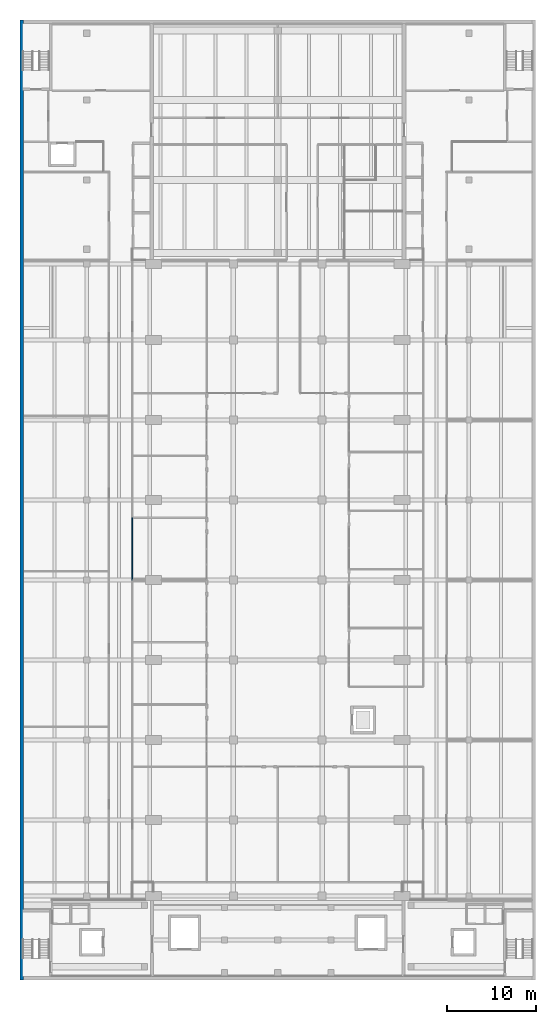
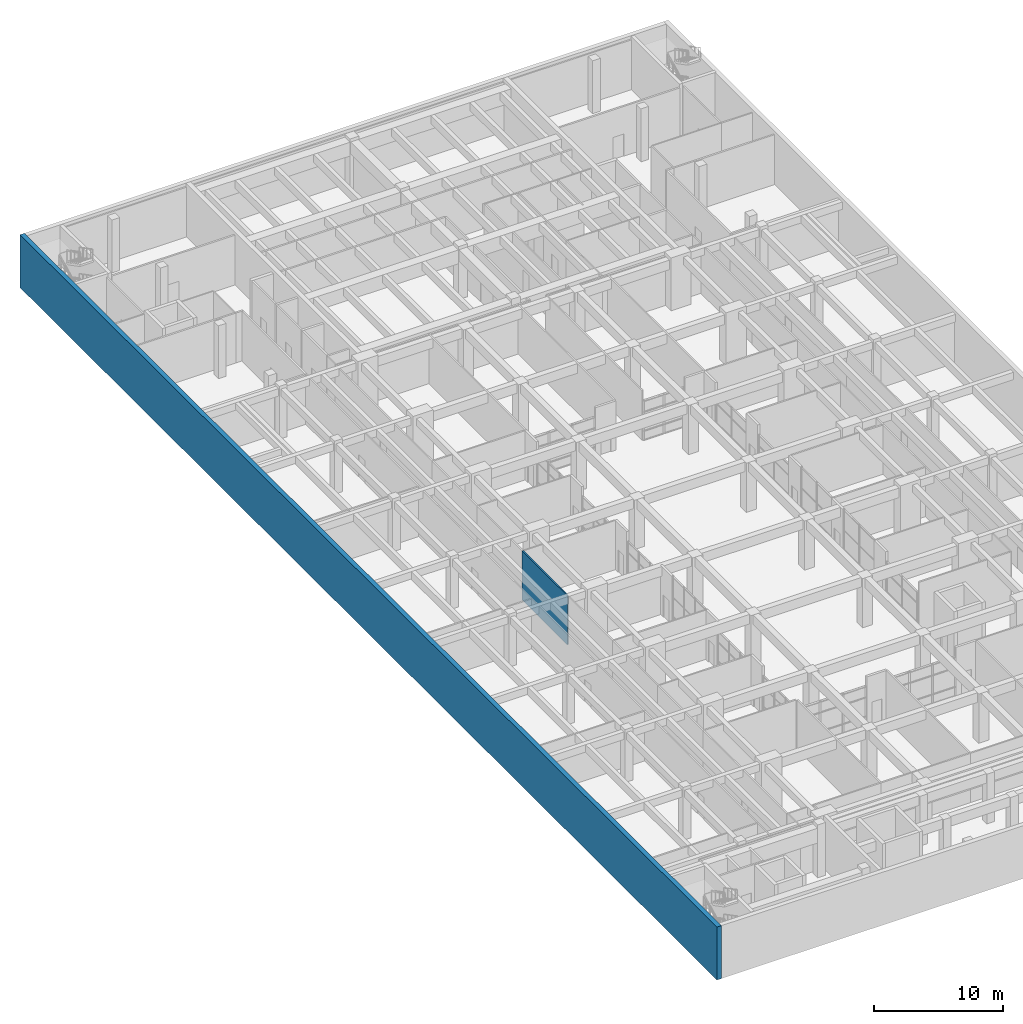
# One storey, part 20 of 29: 2 walls.
"""IFC4 building model written with IfcOpenShell, lengths in metres."""

from ifc_helpers import new_model, si_unit, direction, frame, frame_2d, origin, place, context, subcontext, project, spatial, rectangle, extrude, material, layer, layer_set, type_object, element, save


model = new_model("IFC4")

# Units and contexts
model_context = context("Model", 3, precision=1e-05, world=origin(), true_north=direction((0.0, 1.0)))
body_context = subcontext(model_context, "Body", "Model", "MODEL_VIEW")
ifc_project = project(units=[si_unit("LENGTHUNIT", "METRE"), si_unit("AREAUNIT", "SQUARE_METRE"), si_unit("VOLUMEUNIT", "CUBIC_METRE"), si_unit("PLANEANGLEUNIT", "RADIAN"), si_unit("MASSUNIT", "GRAM", prefix="KILO")], contexts=[model_context])

# Site, building, storey
site_placement = place(None, origin())
site = spatial("IfcSite", under=ifc_project, at=site_placement, CompositionType="ELEMENT")
building_placement = place(site_placement, origin())
building = spatial("IfcBuilding", under=site, at=building_placement, Name="Elmora Arch Market Hall", CompositionType="ELEMENT")
storey_placement = place(building_placement, frame((0.0, 0.0, -5.0)))
storey = spatial("IfcBuildingStorey", under=building, at=storey_placement, Name="LG", CompositionType="ELEMENT", Elevation=-5.0)

# Walls
ifc_material_1 = material(Name="Concrete C40/50", Category="concrete")
ifc_layer_1 = layer(ifc_material_1, 0.39990234375)
ifc_layer_set_1 = layer_set([ifc_layer_1], Name="Concrete C40/50")
wall_type_1 = type_object("IfcWallType", Name="Basement wall 400", PredefinedType="SOLIDWALL", material=ifc_layer_set_1)
wall_1_placement = place(storey_placement, frame((0.199951171875, 18.0, 0.0), z_axis=(0.0, 0.0, 1.0), x_axis=(0.0, 1.0, 0.0)))
element("IfcWall", 1, at=wall_1_placement, inside=storey, type_object=wall_type_1, Name="Basement wall W LG", PredefinedType="SOLIDWALL", context=body_context, shape_type="SweptSolid", body=[
    extrude(rectangle(XDim=108.0, YDim=0.39990234375, at=frame_2d((54.0, 0.0))), origin(), (0.0, 0.0, 1.0), 5.0),
])
ifc_material_2 = material(Name="Gypsum board on metal studs")
ifc_layer_2 = layer(ifc_material_2, 0.125)
ifc_layer_set_2 = layer_set([ifc_layer_2], Name="Gypsum board on metal studs")
wall_type_2 = type_object("IfcWallType", Name="Partition 125 EI 60", PredefinedType="PARTITIONING", material=ifc_layer_set_2)
wall_2_placement = place(storey_placement, frame((12.64990234375, 63.0, 0.0), z_axis=(0.0, 0.0, 1.0), x_axis=(0.0, 1.0, 0.0)))
element("IfcWall", 2, at=wall_2_placement, inside=storey, type_object=wall_type_2, Name="Partition PT-LG-088", PredefinedType="PARTITIONING", context=body_context, shape_type="SweptSolid", body=[
    extrude(rectangle(XDim=7.0, YDim=0.125, at=frame_2d((3.5, 0.0))), origin(), (0.0, 0.0, 1.0), 4.64990234375),
])

save(model, "model.ifc")
